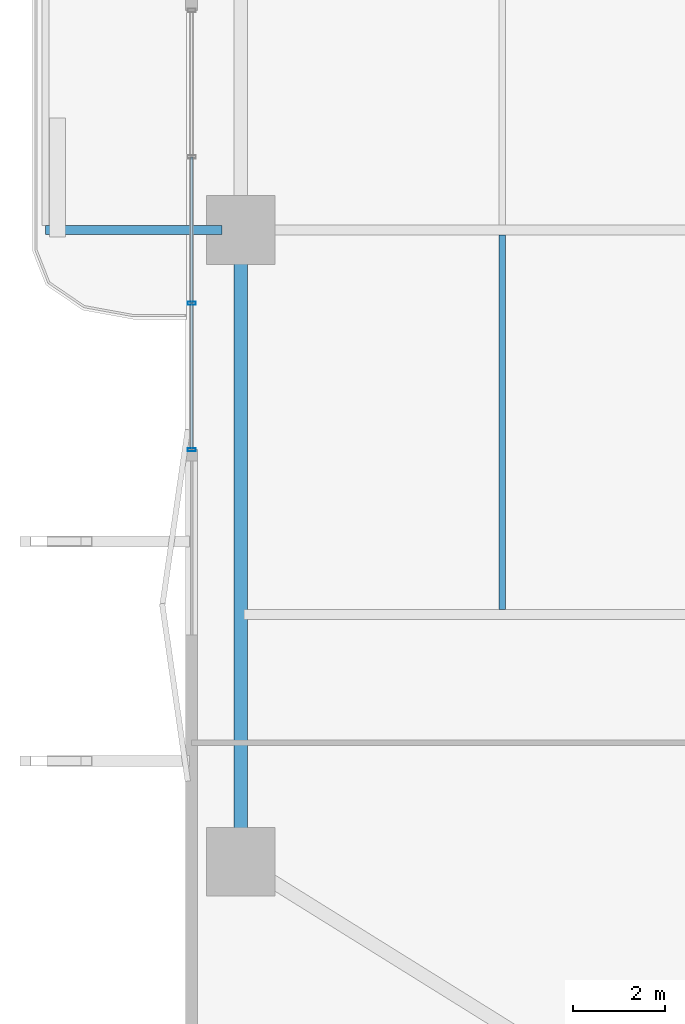
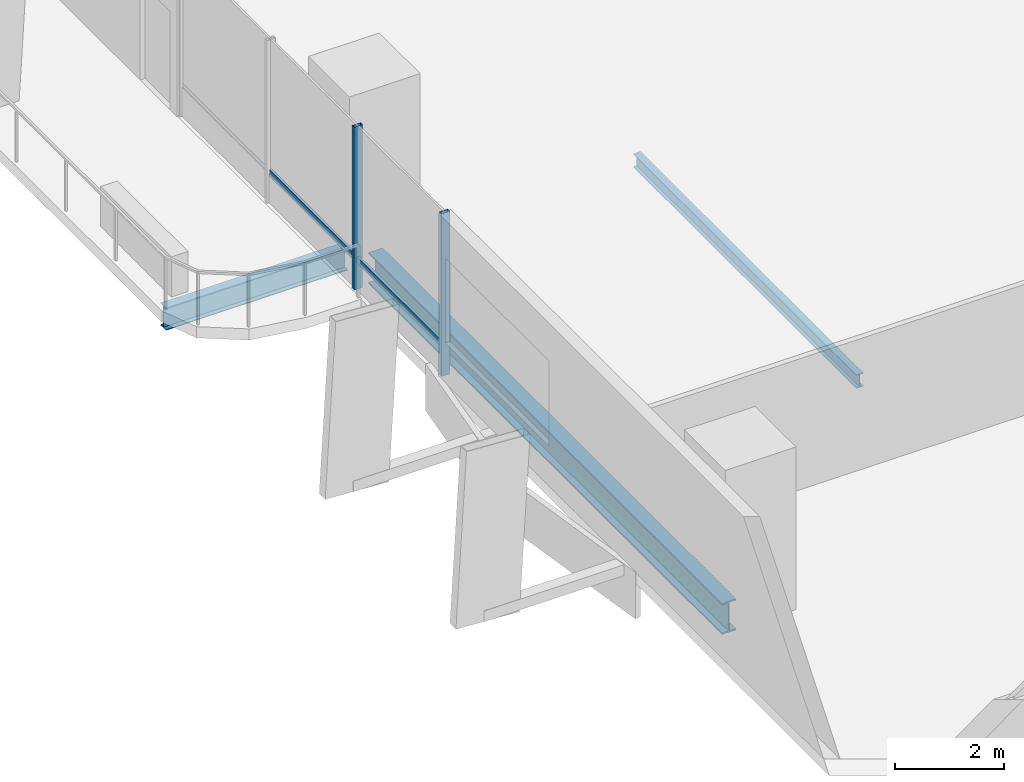
# One storey, part 4 of 23: 4 members, 3 beams, 1 element without a shape of its own.
"""IFC4 building model written with IfcOpenShell, lengths in metres."""

from ifc_helpers import new_model, si_unit, direction, frame, origin, origin_2d, place, context, subcontext, project, spatial, hollow_rectangle, i_section, extrude, material, layer, layer_set, material_profile, profile_set, type_object, element, aggregate, save


model = new_model("IFC4")

# Units and contexts
model_context = context("Model", 3, precision=1e-05, world=origin(), true_north=direction((0.0, 1.0)))
body_context = subcontext(model_context, "Body", "Model", "MODEL_VIEW")
ifc_project = project(units=[si_unit("LENGTHUNIT", "METRE"), si_unit("AREAUNIT", "SQUARE_METRE"), si_unit("VOLUMEUNIT", "CUBIC_METRE"), si_unit("PLANEANGLEUNIT", "RADIAN"), si_unit("MASSUNIT", "GRAM", prefix="KILO")], contexts=[model_context])

# Site, building, storey
site_placement = place(None, origin())
site = spatial("IfcSite", under=ifc_project, at=site_placement, CompositionType="ELEMENT")
building_placement = place(site_placement, origin())
building = spatial("IfcBuilding", under=site, at=building_placement, Name="Belovzor Exchange Tower", CompositionType="ELEMENT")
storey_placement = place(building_placement, frame((0.0, 0.0, 41.699951171875)))
storey = spatial("IfcBuildingStorey", under=building, at=storey_placement, Name="L09", CompositionType="ELEMENT", Elevation=41.699951171875)

# Beams
ifc_material_1 = material(Name="Steel S355", Category="steel")
ifc_material_profile_1 = material_profile(ifc_material_1, i_section(OverallWidth=0.199951171875, OverallDepth=0.5, WebThickness=0.01025390625, FlangeThickness=0.01611328125, at=origin_2d()))
ifc_profile_set_1 = profile_set([ifc_material_profile_1], Name="Steel S355")
beam_type_1 = type_object("IfcBeamType", Name="Planted Balcony Cantilever Beam IPE 500", PredefinedType="BEAM", material=ifc_profile_set_1)
beam_1_placement = place(storey_placement, frame((1.68798828125, 28.800048828125, -0.5), z_axis=(-1.0, 0.0, 0.0), x_axis=(0.0, -1.0, 0.0)))
element("IfcBeam", 1, at=beam_1_placement, inside=storey, type_object=beam_type_1, Name="BC-500 Planted Balcony Cantilever Beam IPE 500", PredefinedType="BEAM", context=body_context, shape_type="SweptSolid", body=[
    extrude(i_section(OverallWidth=0.199951171875, OverallDepth=0.5, WebThickness=0.01025390625, FlangeThickness=0.01611328125, at=origin_2d()), origin(), (0.0, 0.0, 1.0), 3.85009765625),
])
ifc_material_2 = material(Name="Steel S355", Category="steel")
ifc_material_profile_2 = material_profile(ifc_material_2, i_section(OverallWidth=0.14990234375, OverallDepth=0.300048828125, WebThickness=0.007080078125, FlangeThickness=0.0107421875, at=origin_2d()))
ifc_profile_set_2 = profile_set([ifc_material_profile_2], Name="Steel S355")
beam_type_2 = type_object("IfcBeamType", Name="Secondary Trim Floor Joist IPE 300", PredefinedType="BEAM", material=ifc_profile_set_2)
beam_2_placement = place(storey_placement, frame((7.81494140625, 20.5048828125, -0.39990234375), z_axis=(0.0, 1.0, 0.0), x_axis=(-1.0, 0.0, 0.0)))
element("IfcBeam", 2, at=beam_2_placement, inside=storey, type_object=beam_type_2, Name="FJ-300 Secondary Trim Floor Joist IPE 300", PredefinedType="BEAM", context=body_context, shape_type="SweptSolid", body=[
    extrude(i_section(OverallWidth=0.14990234375, OverallDepth=0.300048828125, WebThickness=0.007080078125, FlangeThickness=0.0107421875, at=origin_2d()), origin(), (0.0, 0.0, 1.0), 8.190185546875),
])

# Curtain wall, members
ifc_material_3 = material(Name="Anodised Aluminium Framing", Category="aluminium")
ifc_layer = layer(ifc_material_3, 0.179931640625)
ifc_layer_set = layer_set([ifc_layer], Name="Anodised Aluminium Framing")
curtain_wall_type = type_object("IfcCurtainWallType", Name="Recessed Loggia Low-Iron Triple-Glazed Curtain Wall", PredefinedType="NOTDEFINED", material=ifc_layer_set)
curtain_wall_placement = place(storey_placement, origin())
curtain_wall = element("IfcCurtainWall", 3, at=curtain_wall_placement, inside=storey, type_object=curtain_wall_type, Name="CW3 Recessed Loggia Low-Iron Triple-Glazed Curtain Wall L09", PredefinedType="NOTDEFINED")
ifc_material_4 = material(Name="Steel S355", Category="steel")
ifc_material_profile_3 = material_profile(ifc_material_4, hollow_rectangle(XDim=0.074951171875, YDim=0.179931640625, WallThickness=0.0048828125, at=origin_2d()))
ifc_profile_set_3 = profile_set([ifc_material_profile_3], Name="Steel S355")
member_type_1 = type_object("IfcMemberType", Name="Thermally Broken Curtain Wall Mullion 180x75", PredefinedType="MULLION", material=ifc_profile_set_3)
member_1_placement = place(storey_placement, frame((1.030029296875, 24.0, 0.0), z_axis=(0.0, 0.0, 1.0), x_axis=(0.0, 1.0, 0.0)))
member_1 = element("IfcMember", 4, at=member_1_placement, type_object=member_type_1, Name="CW-M180 Curtain Wall Mullion 1", PredefinedType="MULLION", context=body_context, shape_type="SweptSolid", body=[
    extrude(hollow_rectangle(XDim=0.074951171875, YDim=0.179931640625, WallThickness=0.0048828125, at=origin_2d()), origin(), (0.0, 0.0, 1.0), 3.650146484375),
])
member_2_placement = place(storey_placement, frame((1.030029296875, 27.199951171875, 0.0), z_axis=(0.0, 0.0, 1.0), x_axis=(0.0, 1.0, 0.0)))
member_2 = element("IfcMember", 5, at=member_2_placement, type_object=member_type_1, Name="CW-M180 Curtain Wall Mullion 2", PredefinedType="MULLION", context=body_context, shape_type="SweptSolid", body=[
    extrude(hollow_rectangle(XDim=0.074951171875, YDim=0.179931640625, WallThickness=0.0048828125, at=origin_2d()), origin(), (0.0, 0.0, 1.0), 3.650146484375),
])
ifc_material_5 = material(Name="Steel S355", Category="steel")
ifc_material_profile_4 = material_profile(ifc_material_5, hollow_rectangle(XDim=0.06005859375, YDim=0.14990234375, WallThickness=0.00390625, at=origin_2d()))
ifc_profile_set_4 = profile_set([ifc_material_profile_4], Name="Steel S355")
member_type_2 = type_object("IfcMemberType", Name="Thermally Broken Curtain Wall Transom 150x60", PredefinedType="USERDEFINED", material=ifc_profile_set_4)
member_3_placement = place(storey_placement, frame((1.030029296875, 24.008056640625, 0.650146484375), z_axis=(0.0, 1.0, 0.0), x_axis=(-1.0, 0.0, 0.0)))
member_3 = element("IfcMember", 6, at=member_3_placement, type_object=member_type_2, Name="CW-T150 Curtain Wall Transom 1", ObjectType="TRANSOM", PredefinedType="USERDEFINED", context=body_context, shape_type="SweptSolid", body=[
    extrude(hollow_rectangle(XDim=0.06005859375, YDim=0.14990234375, WallThickness=0.00390625, at=origin_2d()), origin(), (0.0, 0.0, 1.0), 3.183837890625),
])
member_4_placement = place(storey_placement, frame((1.030029296875, 27.2080078125, 0.650146484375), z_axis=(0.0, 1.0, 0.0), x_axis=(-1.0, 0.0, 0.0)))
member_4 = element("IfcMember", 7, at=member_4_placement, type_object=member_type_2, Name="CW-T150 Curtain Wall Transom 2", ObjectType="TRANSOM", PredefinedType="USERDEFINED", context=body_context, shape_type="SweptSolid", body=[
    extrude(hollow_rectangle(XDim=0.06005859375, YDim=0.14990234375, WallThickness=0.00390625, at=origin_2d()), origin(), (0.0, 0.0, 1.0), 3.18408203125),
])
aggregate(curtain_wall, [member_1, member_2, member_3, member_4])

# Beam
ifc_material_6 = material(Name="Steel S355", Category="steel")
ifc_material_profile_5 = material_profile(ifc_material_6, i_section(OverallWidth=0.300048828125, OverallDepth=0.699951171875, WebThickness=0.01708984375, FlangeThickness=0.031982421875, at=origin_2d()))
ifc_profile_set_5 = profile_set([ifc_material_profile_5], Name="Steel S355")
beam_type_3 = type_object("IfcBeamType", Name="Zone 1 Primary Perimeter Girder HEB 700", PredefinedType="BEAM", material=ifc_profile_set_5)
beam_3_placement = place(storey_placement, frame((2.10009765625, 28.386962890625, -0.599853515625), z_axis=(0.0, -1.0, 0.0), x_axis=(1.0, 0.0, 0.0)))
element("IfcBeam", 8, at=beam_3_placement, inside=storey, type_object=beam_type_3, Name="FG-Z1 Zone 1 Primary Perimeter Girder HEB 700", PredefinedType="BEAM", context=body_context, shape_type="SweptSolid", body=[
    extrude(i_section(OverallWidth=0.300048828125, OverallDepth=0.699951171875, WebThickness=0.01708984375, FlangeThickness=0.031982421875, at=origin_2d()), origin(), (0.0, 0.0, 1.0), 12.974853515625),
])

save(model, "model.ifc")
